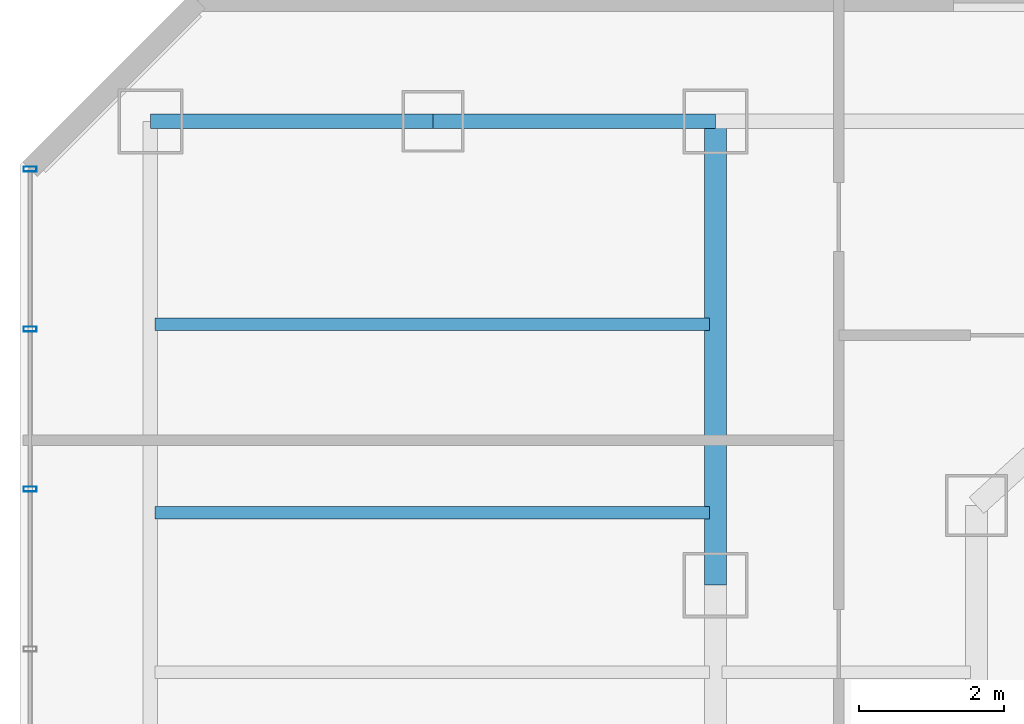
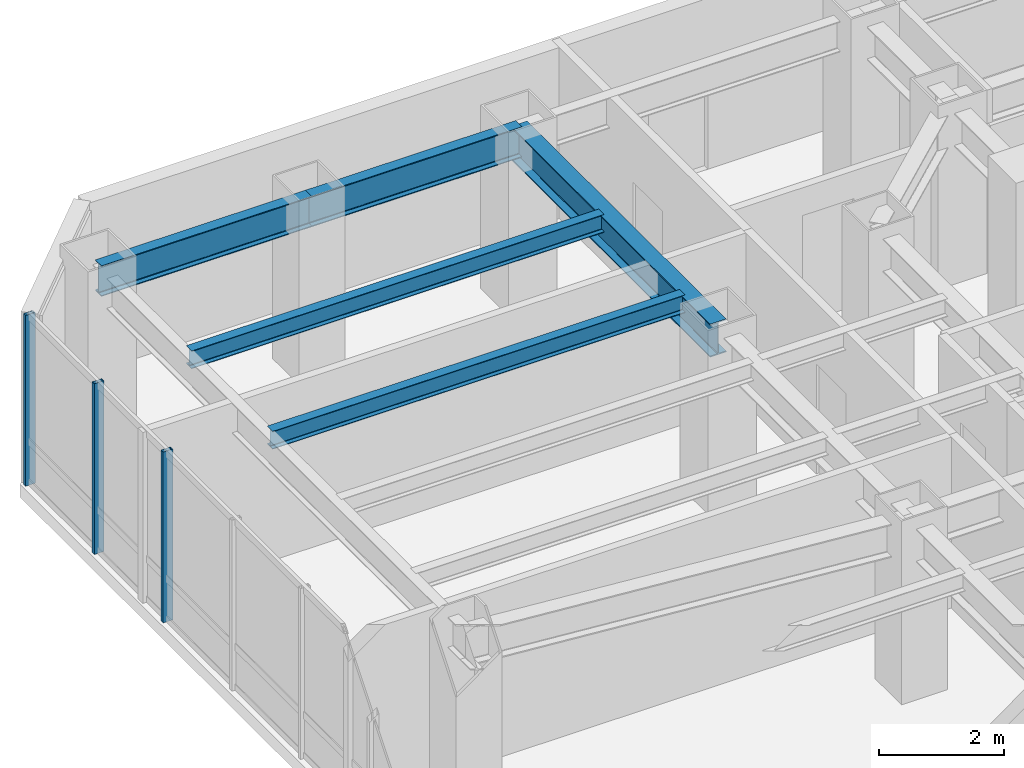
# One storey, part 17 of 31: 5 beams, 3 members, 1 element without a shape of its own.
"""IFC4 building model written with IfcOpenShell, lengths in metres."""

from ifc_helpers import new_model, si_unit, direction, frame, origin, origin_2d, place, context, subcontext, project, spatial, hollow_rectangle, i_section, extrude, material, layer, layer_set, material_profile, profile_set, type_object, element, aggregate, save


model = new_model("IFC4")

# Units and contexts
model_context = context("Model", 3, precision=1e-05, world=origin(), true_north=direction((0.0, 1.0)))
body_context = subcontext(model_context, "Body", "Model", "MODEL_VIEW")
ifc_project = project(units=[si_unit("LENGTHUNIT", "METRE"), si_unit("AREAUNIT", "SQUARE_METRE"), si_unit("VOLUMEUNIT", "CUBIC_METRE"), si_unit("PLANEANGLEUNIT", "RADIAN"), si_unit("MASSUNIT", "GRAM", prefix="KILO")], contexts=[model_context])

# Site, building, storey
site_placement = place(None, origin())
site = spatial("IfcSite", under=ifc_project, at=site_placement, CompositionType="ELEMENT")
building_placement = place(site_placement, origin())
building = spatial("IfcBuilding", under=site, at=building_placement, Name="Hatsunagi Terrace Concourse", CompositionType="ELEMENT")
storey_placement = place(building_placement, frame((0.0, 0.0, 112.050048828125)))
storey = spatial("IfcBuildingStorey", under=building, at=storey_placement, Name="L29", CompositionType="ELEMENT", Elevation=112.050048828125)

# Curtain wall, members
ifc_material_1 = material(Name="Anodised Aluminium Alloy 6063-T5", Category="aluminium")
ifc_layer = layer(ifc_material_1, 0.199951171875)
ifc_layer_set = layer_set([ifc_layer], Name="OfficeZone1_CW03")
curtain_wall_type = type_object("IfcCurtainWallType", Name="OfficeZone1_CW03", PredefinedType="NOTDEFINED", material=ifc_layer_set)
curtain_wall_placement = place(storey_placement, origin())
curtain_wall = element("IfcCurtainWall", 1, at=curtain_wall_placement, inside=storey, type_object=curtain_wall_type, Name="Unitised Curtain Wall CW-03 CW-L29-09", PredefinedType="NOTDEFINED")
ifc_material_2 = material(Name="Anodised Aluminium Alloy 6063-T5", Category="aluminium")
ifc_material_profile_1 = material_profile(ifc_material_2, hollow_rectangle(XDim=0.070068359375, YDim=0.179931640625, WallThickness=0.00390625, at=origin_2d()), Name="ALU-MUL-180x70x4")
ifc_profile_set_1 = profile_set([ifc_material_profile_1], Name="Anodised Aluminium Alloy 6063-T5")
member_type = type_object("IfcMemberType", Name="CurtainWallMullion_180x70", PredefinedType="MULLION", material=ifc_profile_set_1)
member_1_placement = place(storey_placement, frame((9.739990234375, 43.52490234375, 0.0), z_axis=(0.0, 0.0, 1.0), x_axis=(0.0, 1.0, 0.0)))
member_1 = element("IfcMember", 2, at=member_1_placement, type_object=member_type, Name="Curtain Wall Mullion MUL-02", PredefinedType="MULLION", context=body_context, shape_type="SweptSolid", body=[
    extrude(hollow_rectangle(XDim=0.070068359375, YDim=0.179931640625, WallThickness=0.00390625, at=origin_2d()), origin(), (0.0, 0.0, 1.0), 3.349853515625),
])
member_2_placement = place(storey_placement, frame((9.739990234375, 45.73388671875, 0.0), z_axis=(0.0, 0.0, 1.0), x_axis=(0.0, 1.0, 0.0)))
member_2 = element("IfcMember", 3, at=member_2_placement, type_object=member_type, Name="Curtain Wall Mullion MUL-02", PredefinedType="MULLION", context=body_context, shape_type="SweptSolid", body=[
    extrude(hollow_rectangle(XDim=0.070068359375, YDim=0.179931640625, WallThickness=0.00390625, at=origin_2d()), origin(), (0.0, 0.0, 1.0), 3.349853515625),
])
member_3_placement = place(storey_placement, frame((9.739990234375, 47.94189453125, 0.0), z_axis=(0.0, 0.0, 1.0), x_axis=(0.0, 1.0, 0.0)))
member_3 = element("IfcMember", 4, at=member_3_placement, type_object=member_type, Name="Curtain Wall Mullion MUL-02", PredefinedType="MULLION", context=body_context, shape_type="SweptSolid", body=[
    extrude(hollow_rectangle(XDim=0.070068359375, YDim=0.179931640625, WallThickness=0.00390625, at=origin_2d()), origin(), (0.0, 0.0, 1.0), 3.349853515625),
])
aggregate(curtain_wall, [member_1, member_2, member_3])

# Beams
ifc_material_3 = material(Name="Steel SN490B", Category="steel")
ifc_material_profile_2 = material_profile(ifc_material_3, i_section(OverallWidth=0.175048828125, OverallDepth=0.35009765625, WebThickness=0.007080078125, FlangeThickness=0.010986328125, FilletRadius=0.012939453125, at=origin_2d()), Name="H-350x175x7x11")
ifc_profile_set_2 = profile_set([ifc_material_profile_2], Name="Steel SN490B")
beam_type_1 = type_object("IfcBeamType", Name="HotelJoist_H_350x175", PredefinedType="JOIST", material=ifc_profile_set_2)
for number, where, z_axis, x_axis, name in (
    (5, (11.465087890625, 43.199951171875, 3.175048828125), (1.0, 0.0, 0.0), (0.0, 1.0, 0.0), "Beam J-02 J-L29-W-11-432"),
    (6, (11.465087890625, 45.800048828125, 3.175048828125), (1.0, 0.0, 0.0), (0.0, 1.0, 0.0), "Beam J-02 J-L29-W-11-458"),
):
    element("IfcBeam", number, at=place(storey_placement, frame(where, z_axis=z_axis, x_axis=x_axis)), inside=storey, type_object=beam_type_1, Name=name, PredefinedType="JOIST", context=body_context, shape_type="SweptSolid", body=[
        extrude(i_section(OverallWidth=0.175048828125, OverallDepth=0.35009765625, WebThickness=0.007080078125, FlangeThickness=0.010986328125, FilletRadius=0.012939453125, at=origin_2d()), origin(), (0.0, 0.0, 1.0), 7.64990234375),
    ])
ifc_material_4 = material(Name="Steel SN490B", Category="steel")
ifc_material_profile_3 = material_profile(ifc_material_4, i_section(OverallWidth=0.300048828125, OverallDepth=0.64990234375, WebThickness=0.012939453125, FlangeThickness=0.02197265625, FilletRadius=0.01806640625, at=origin_2d()), Name="H-650x300x13x22")
ifc_profile_set_3 = profile_set([ifc_material_profile_3], Name="Steel SN490B")
beam_type_2 = type_object("IfcBeamType", Name="OfficeLowGirder_H_650x300", PredefinedType="BEAM", material=ifc_profile_set_3)
beam_1_placement = place(storey_placement, frame((19.199951171875, 42.199951171875, 3.02490234375), z_axis=(0.0, 1.0, 0.0), x_axis=(-1.0, 0.0, 0.0)))
element("IfcBeam", 7, at=beam_1_placement, inside=storey, type_object=beam_type_2, Name="Beam G-05 BM-L29-NS-19-42", PredefinedType="BEAM", context=body_context, shape_type="SweptSolid", body=[
    extrude(i_section(OverallWidth=0.300048828125, OverallDepth=0.64990234375, WebThickness=0.012939453125, FlangeThickness=0.02197265625, FilletRadius=0.01806640625, at=origin_2d()), origin(), (0.0, 0.0, 1.0), 6.400146484375),
])
ifc_material_5 = material(Name="Steel SN490B", Category="steel")
ifc_material_profile_4 = material_profile(ifc_material_5, i_section(OverallWidth=0.199951171875, OverallDepth=0.60009765625, WebThickness=0.010986328125, FlangeThickness=0.01708984375, FilletRadius=0.01806640625, at=origin_2d()), Name="H-600x200x11x17")
ifc_profile_set_4 = profile_set([ifc_material_profile_4], Name="Steel SN490B")
beam_type_3 = type_object("IfcBeamType", Name="PerimeterSpandrel_H_600x200", PredefinedType="SPANDREL", material=ifc_profile_set_4)
beam_2_placement = place(storey_placement, frame((11.39990234375, 48.60009765625, 3.050048828125), z_axis=(1.0, 0.0, 0.0), x_axis=(0.0, 1.0, 0.0)))
element("IfcBeam", 8, at=beam_2_placement, inside=storey, type_object=beam_type_3, Name="Beam SP-01 BM-L29-WN-11", PredefinedType="SPANDREL", context=body_context, shape_type="SweptSolid", body=[
    extrude(i_section(OverallWidth=0.199951171875, OverallDepth=0.60009765625, WebThickness=0.010986328125, FlangeThickness=0.01708984375, FilletRadius=0.01806640625, at=origin_2d()), origin(), (0.0, 0.0, 1.0), 3.900146484375),
])
beam_3_placement = place(storey_placement, frame((15.300048828125, 48.60009765625, 3.050048828125), z_axis=(1.0, 0.0, 0.0), x_axis=(0.0, 1.0, 0.0)))
element("IfcBeam", 9, at=beam_3_placement, inside=storey, type_object=beam_type_3, Name="Beam SP-01 BM-L29-WN-15", PredefinedType="SPANDREL", context=body_context, shape_type="SweptSolid", body=[
    extrude(i_section(OverallWidth=0.199951171875, OverallDepth=0.60009765625, WebThickness=0.010986328125, FlangeThickness=0.01708984375, FilletRadius=0.01806640625, at=origin_2d()), origin(), (0.0, 0.0, 1.0), 3.89990234375),
])

save(model, "model.ifc")
